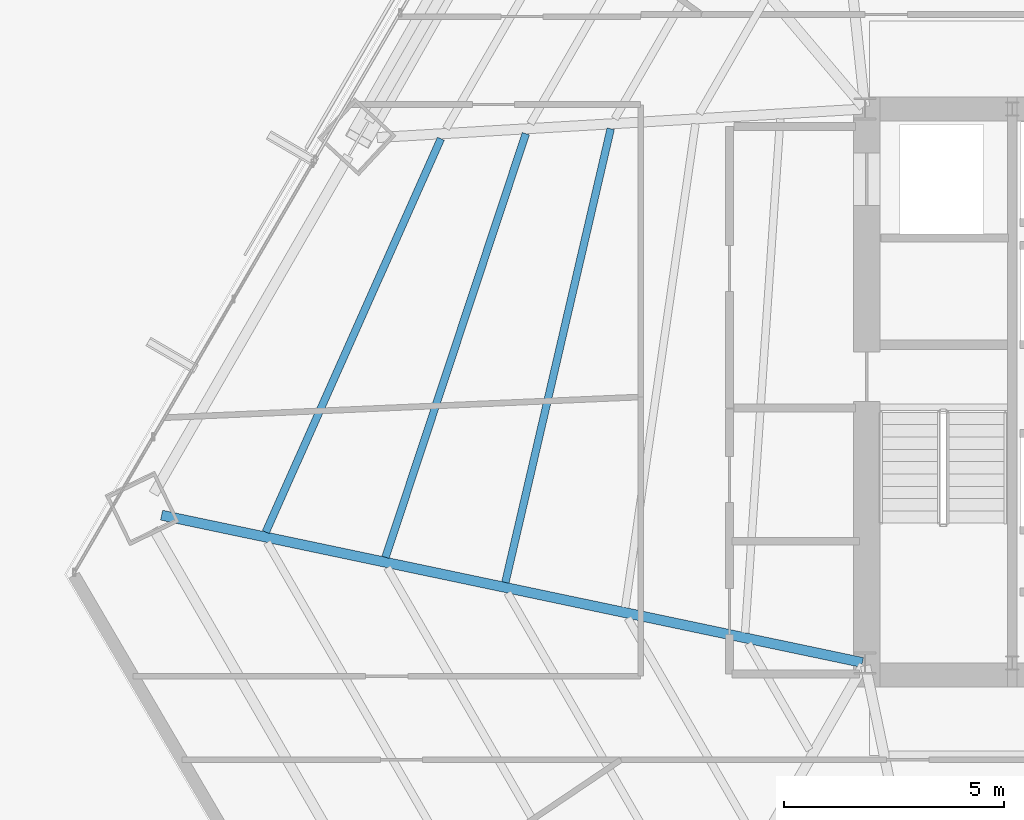
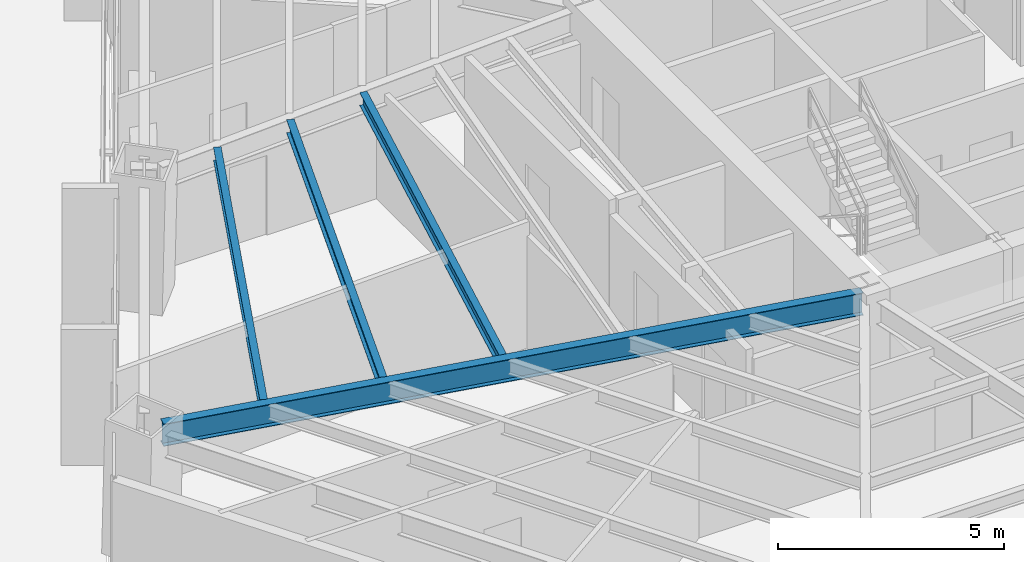
# One storey, part 10 of 35: 4 beams.
"""IFC4 building model written with IfcOpenShell, lengths in metres."""

import ifcopenshell
import ifcopenshell.guid

model = None  # the IFC model being written
_history = None  # IfcOwnerHistory: only IFC2X3 demands one
_inside = {}  # id of a spatial element -> (the spatial element, [elements in it])
_under = {}  # id of a project, library or spatial element -> (it, [spatial elements below it])
_declared = {}  # id of a project -> (the project, [libraries it declares])
_typed = {}  # id of a type object -> (the type object, [elements of that type])
_made_of = {}  # id of a material, layer set ... -> (it, [elements and type objects made of it])


def new_model(schema):
    """Start an empty IFC model of exactly this schema.

    Asked for "IFC4X3", IfcOpenShell would pick the latest addendum, in which some entities
    have other attributes; the version numbers below select the first issue.
    IFC2X3 requires an IfcOwnerHistory on every rooted entity: one is made here for all.
    """
    global model, _history
    if schema == "IFC4X3":
        model = ifcopenshell.file(schema_version=(4, 3, 0, 0))
    else:
        model = ifcopenshell.file(schema=schema)
    _inside.clear()
    _under.clear()
    _declared.clear()
    _typed.clear()
    _made_of.clear()
    _history = None
    if model.schema == "IFC2X3":
        org = make("IfcOrganization", Name="unknown")
        user = make(
            "IfcPersonAndOrganization",
            ThePerson=make("IfcPerson", FamilyName="unknown"),
            TheOrganization=org,
        )
        app = make(
            "IfcApplication",
            ApplicationDeveloper=org,
            Version="unknown",
            ApplicationFullName="unknown",
            ApplicationIdentifier="unknown",
        )
        _history = make(
            "IfcOwnerHistory",
            OwningUser=user,
            OwningApplication=app,
            ChangeAction="ADDED",
            CreationDate=0,
        )
    return model


def make(cls, **values):
    """One entity of the class cls with the attributes given. An attribute that is None is left unset."""
    return model.create_entity(
        cls, **{name: value for name, value in values.items() if value is not None}
    )


def rooted(cls, **values):
    """An entity with a GlobalId (a new one), such as an element, a storey or a relation."""
    return make(cls, GlobalId=ifcopenshell.guid.new(), OwnerHistory=_history, **values)


def si_unit(unit_type, name, prefix=None):
    """IfcSIUnit, for example si_unit("LENGTHUNIT", "METRE", prefix="MILLI")."""
    return make("IfcSIUnit", UnitType=unit_type, Prefix=prefix, Name=name)


def assignment(units):
    """IfcUnitAssignment: the units of a project."""
    return None if units is None else make("IfcUnitAssignment", Units=units)


def point(xyz):
    """IfcCartesianPoint."""
    return None if xyz is None else make("IfcCartesianPoint", Coordinates=xyz)


def direction(xyz):
    """IfcDirection."""
    return None if xyz is None else make("IfcDirection", DirectionRatios=xyz)


def frame(location, z_axis=None, x_axis=None):
    """IfcAxis2Placement3D, a coordinate frame: its origin and axes. An axis left out is left unset."""
    return make(
        "IfcAxis2Placement3D",
        Location=point(location),
        Axis=direction(z_axis),
        RefDirection=direction(x_axis),
    )


def frame_2d(location, x_axis=None):
    """IfcAxis2Placement2D, a coordinate frame in the plane: its origin and x axis."""
    return make(
        "IfcAxis2Placement2D", Location=point(location), RefDirection=direction(x_axis)
    )


def origin():
    """The frame at (0, 0, 0) with its axes left unset."""
    return frame((0.0, 0.0, 0.0))


def origin_2d():
    """The frame at (0, 0) in the plane with its x axis left unset."""
    return frame_2d((0.0, 0.0))


def place(relative_to, where):
    """IfcLocalPlacement: puts the frame where relative to a parent placement (None: the world)."""
    return make(
        "IfcLocalPlacement", PlacementRelTo=relative_to, RelativePlacement=where
    )


def context(
    kind, dimensions, precision=None, world=None, true_north=None, identifier=None
):
    """IfcGeometricRepresentationContext, for example the 3D "Model" context."""
    return make(
        "IfcGeometricRepresentationContext",
        ContextIdentifier=identifier,
        ContextType=kind,
        CoordinateSpaceDimension=dimensions,
        Precision=precision,
        WorldCoordinateSystem=world,
        TrueNorth=true_north,
    )


def subcontext(parent, identifier, kind, view, scale=None):
    """IfcGeometricRepresentationSubContext, for example "Body" below "Model"."""
    return make(
        "IfcGeometricRepresentationSubContext",
        ContextIdentifier=identifier,
        ContextType=kind,
        ParentContext=parent,
        TargetScale=scale,
        TargetView=view,
    )


def project(units=None, contexts=None):
    """IfcProject with its units and contexts."""
    return rooted(
        "IfcProject",
        Name="project",
        RepresentationContexts=contexts,
        UnitsInContext=assignment(units),
    )


def spatial(cls, under=None, at=None, **own):
    """A site, building, storey or space (cls), placed at a placement, below another one or the project."""
    s = rooted(cls, ObjectPlacement=at, **own)
    if under is not None:
        _under.setdefault(under.id(), (under, []))[1].append(s)
    return s


def profile(cls, at=None, kind="AREA", **sizes):
    """A parametric profile (cls). Its sizes go by their IFC names, for example OverallWidth=200.0."""
    return make(cls, ProfileType=kind, Position=at, **sizes)


def i_section(**sizes):
    """IfcIShapeProfileDef."""
    return profile("IfcIShapeProfileDef", **sizes)


def extrude(swept, where, along, depth):
    """IfcExtrudedAreaSolid: the profile swept, set in the frame where, extruded along a direction by depth."""
    return make(
        "IfcExtrudedAreaSolid",
        SweptArea=swept,
        Position=where,
        ExtrudedDirection=direction(along),
        Depth=depth,
    )


def shape(context_of_items, identifier, shape_type, items):
    """IfcShapeRepresentation: the items that make up one representation, for example the "Body"."""
    return make(
        "IfcShapeRepresentation",
        ContextOfItems=context_of_items,
        RepresentationIdentifier=identifier,
        RepresentationType=shape_type,
        Items=items,
    )


def source(mapping_origin, context_of_items, identifier, shape_type, items):
    """IfcRepresentationMap: a shape defined once, which mapped items show again and again."""
    return make(
        "IfcRepresentationMap",
        MappingOrigin=mapping_origin,
        MappedRepresentation=shape(context_of_items, identifier, shape_type, items),
    )


def transform(
    local_origin,
    x_axis=None,
    y_axis=None,
    z_axis=None,
    scale=None,
    scale2=None,
    scale3=None,
    uniform=True,
):
    """IfcCartesianTransformationOperator3D, or its non-uniform kind. x_axis, y_axis, z_axis: its Axis1, 2, 3."""
    if uniform:
        return make(
            "IfcCartesianTransformationOperator3D",
            Axis1=direction(x_axis),
            Axis2=direction(y_axis),
            LocalOrigin=point(local_origin),
            Scale=scale,
            Axis3=direction(z_axis),
        )
    return make(
        "IfcCartesianTransformationOperator3DnonUniform",
        Axis1=direction(x_axis),
        Axis2=direction(y_axis),
        LocalOrigin=point(local_origin),
        Scale=scale,
        Axis3=direction(z_axis),
        Scale2=scale2,
        Scale3=scale3,
    )


def mapped(mapping_source, mapping_target):
    """IfcMappedItem: shows the shape of a source again, moved by a transform."""
    return make(
        "IfcMappedItem", MappingSource=mapping_source, MappingTarget=mapping_target
    )


def material(Name=None, Category=None):
    """IfcMaterial."""
    return make("IfcMaterial", Name=Name, Category=Category)


def material_profile(
    of_material, cross_section, Name=None, Category=None, Priority=None
):
    """IfcMaterialProfile: a cross section and its material."""
    return make(
        "IfcMaterialProfile",
        Name=Name,
        Material=of_material,
        Profile=cross_section,
        Priority=Priority,
        Category=Category,
    )


def profile_set(profiles, Name=None, composite=None):
    """IfcMaterialProfileSet."""
    return make(
        "IfcMaterialProfileSet",
        Name=Name,
        MaterialProfiles=profiles,
        CompositeProfile=composite,
    )


def made_of(thing, what):
    """Note that an element or type object is made of a material, layer set ...; save() writes the relation."""
    if what is not None:
        _made_of.setdefault(what.id(), (what, []))[1].append(thing)
    return thing


def type_object(cls, material=None, **own):
    """A type object (cls), such as IfcWallType, which elements share."""
    return made_of(rooted(cls, **own), material)


def type_shapes(of_type, sources):
    """Give a type object the sources (RepresentationMaps) that its elements show as mapped items."""
    of_type.RepresentationMaps = sources


def element(
    cls,
    number,
    at=None,
    inside=None,
    cuts=None,
    type_object=None,
    material=None,
    context=None,
    identifier="Body",
    shape_type=None,
    held_by="IfcProductDefinitionShape",
    body=None,
    shapes=None,
    **own,
):
    """One element of the class cls, such as IfcWall. Its Tag is "e" and its number.

    at: its placement. inside: the storey or other place that contains it. cuts: it is an
    opening in that element (IfcRelVoidsElement). A single representation is given by context,
    identifier, shape_type and body (its items); several are given by shapes. held_by: the class
    of the entity that holds the representations. save() writes the other relations.
    """
    e = rooted(cls, Tag="e%d" % number, ObjectPlacement=at, **own)
    if body is not None:
        shapes = [shape(context, identifier, shape_type, body)]
    if shapes is not None:
        e.Representation = make(held_by, Representations=shapes)
    if inside is not None:
        _inside.setdefault(inside.id(), (inside, []))[1].append(e)
    if cuts is not None:
        rooted(
            "IfcRelVoidsElement", RelatingBuildingElement=cuts, RelatedOpeningElement=e
        )
    if type_object is not None:
        _typed.setdefault(type_object.id(), (type_object, []))[1].append(e)
    return made_of(e, material)


def aggregate(whole, parts):
    """IfcRelAggregates: a whole, such as a stair, and the parts it consists of."""
    return rooted("IfcRelAggregates", RelatingObject=whole, RelatedObjects=parts)


def save(model, path):
    """Write the relations noted so far, then the file.

    IfcRelAggregates (storeys below a building ...), IfcRelContainedInSpatialStructure (elements
    in a storey), IfcRelDefinesByType, IfcRelAssociatesMaterial and IfcRelDeclares: one each for
    every whole, place, type object, material and project.
    """
    for whole, parts in _under.values():
        aggregate(whole, parts)
    for where, things in _inside.values():
        rooted(
            "IfcRelContainedInSpatialStructure",
            RelatedElements=things,
            RelatingStructure=where,
        )
    for kind, things in _typed.values():
        rooted("IfcRelDefinesByType", RelatedObjects=things, RelatingType=kind)
    for what, things in _made_of.values():
        rooted("IfcRelAssociatesMaterial", RelatedObjects=things, RelatingMaterial=what)
    for by, libraries in _declared.values():
        rooted("IfcRelDeclares", RelatingContext=by, RelatedDefinitions=libraries)
    model.write(path)


model = new_model("IFC4")

# Units and contexts
model_context = context("Model", 3, precision=1e-05, world=origin(), true_north=direction((0.0, 1.0)))
body_context = subcontext(model_context, "Body", "Model", "MODEL_VIEW")
ifc_project = project(units=[si_unit("LENGTHUNIT", "METRE"), si_unit("AREAUNIT", "SQUARE_METRE"), si_unit("VOLUMEUNIT", "CUBIC_METRE"), si_unit("PLANEANGLEUNIT", "RADIAN"), si_unit("MASSUNIT", "GRAM", prefix="KILO")], contexts=[model_context])

# Site, building, storey
site_placement = place(None, origin())
site = spatial("IfcSite", under=ifc_project, at=site_placement, CompositionType="ELEMENT")
building_placement = place(site_placement, origin())
building = spatial("IfcBuilding", under=site, at=building_placement, Name="Caelisora Broadcast Tower", CompositionType="ELEMENT")
storey_placement = place(building_placement, frame((0.0, 0.0, 27.60009765625)))
storey = spatial("IfcBuildingStorey", under=building, at=storey_placement, Name="L06", CompositionType="ELEMENT", Elevation=27.60009765625)

# Beams
ifc_material = material(Name="Steel Grade 350 (AS/NZS 3679.1)", Category="steel")
ifc_material_profile_1 = material_profile(ifc_material, i_section(OverallWidth=0.22802734375, OverallDepth=0.602294921875, WebThickness=0.010498046875, FlangeThickness=0.014892578125, at=origin_2d()), Name="Steel Grade 350 (AS/NZS 3679.1)")
ifc_profile_set_1 = profile_set([ifc_material_profile_1], Name="Steel Grade 350 (AS/NZS 3679.1)")
beam_type_1 = type_object("IfcBeamType", Name="PG04", PredefinedType="BEAM", material=ifc_profile_set_1)
shared_shape_1 = source(origin(), body_context, "Body", "SweptSolid", [
    extrude(i_section(OverallWidth=0.22802734375, OverallDepth=0.602294921875, WebThickness=0.010498046875, FlangeThickness=0.014892578125, at=origin_2d()), origin(), (0.0, 0.0, 1.0), 16.28466796875),
])
type_shapes(beam_type_1, [shared_shape_1])
beam_1_placement = place(storey_placement, frame((30.44140625, 17.412353515625, 3.098876953125), z_axis=(-0.978604469373, 0.205750558984, 0.0), x_axis=(-0.205750558984, -0.978604469373, 0.0)))
element("IfcBeam", 1, at=beam_1_placement, inside=storey, type_object=beam_type_1, Name="L06 beam PG04", PredefinedType="BEAM", context=body_context, shape_type="MappedRepresentation", body=[
    mapped(shared_shape_1, transform((0.0, 0.0, 0.0), scale=1.0)),
])
ifc_material_profile_2 = material_profile(ifc_material, i_section(OverallWidth=0.172119140625, OverallDepth=0.358642578125, WebThickness=0.008056640625, FlangeThickness=0.012939453125, at=origin_2d()), Name="Steel Grade 350 (AS/NZS 3679.1)")
ifc_profile_set_2 = profile_set([ifc_material_profile_2], Name="Steel Grade 350 (AS/NZS 3679.1)")
beam_type_2 = type_object("IfcBeamType", Name="SB02", PredefinedType="JOIST", material=ifc_profile_set_2)
shared_shape_2 = source(origin(), body_context, "Body", "SweptSolid", [
    extrude(i_section(OverallWidth=0.172119140625, OverallDepth=0.358642578125, WebThickness=0.008056640625, FlangeThickness=0.012939453125, at=origin_2d()), origin(), (0.0, 0.0, 1.0), 10.591552734375),
])
beam_2_placement = place(storey_placement, frame((24.7177734375, 29.550048828125, 3.220703125), z_axis=(-0.22617071652, -0.974087679313, 0.0), x_axis=(0.974087679313, -0.22617071652, 0.0)))
element("IfcBeam", 2, at=beam_2_placement, inside=storey, type_object=beam_type_2, Name="L06 beam SB02", PredefinedType="JOIST", context=body_context, shape_type="MappedRepresentation", body=[
    mapped(shared_shape_2, transform((0.0, 0.0, 0.0), scale=1.0)),
])
shared_shape_3 = source(origin(), body_context, "Body", "SweptSolid", [
    extrude(i_section(OverallWidth=0.172119140625, OverallDepth=0.358642578125, WebThickness=0.008056640625, FlangeThickness=0.012939453125, at=origin_2d()), origin(), (0.0, 0.0, 1.0), 10.1455078125),
])
beam_3_placement = place(storey_placement, frame((22.78759765625, 29.436767578125, 3.220703125), z_axis=(-0.314393513951, -0.94929274641, 0.0), x_axis=(0.94929274641, -0.314393513951, 0.0)))
element("IfcBeam", 3, at=beam_3_placement, inside=storey, type_object=beam_type_2, Name="L06 beam SB02", PredefinedType="JOIST", context=body_context, shape_type="MappedRepresentation", body=[
    mapped(shared_shape_3, transform((0.0, 0.0, 0.0), scale=1.0)),
])
shared_shape_4 = source(origin(), body_context, "Body", "SweptSolid", [
    extrude(i_section(OverallWidth=0.172119140625, OverallDepth=0.358642578125, WebThickness=0.008056640625, FlangeThickness=0.012939453125, at=origin_2d()), origin(), (0.0, 0.0, 1.0), 9.791259765625),
])
type_shapes(beam_type_2, [shared_shape_2, shared_shape_3, shared_shape_4])
beam_4_placement = place(storey_placement, frame((20.855712890625, 29.323486328125, 3.220703125), z_axis=(-0.406587243902, -0.913611959804, 0.0), x_axis=(0.913611959804, -0.406587243902, 0.0)))
element("IfcBeam", 4, at=beam_4_placement, inside=storey, type_object=beam_type_2, Name="L06 beam SB02", PredefinedType="JOIST", context=body_context, shape_type="MappedRepresentation", body=[
    mapped(shared_shape_4, transform((0.0, 0.0, 0.0), scale=1.0)),
])

save(model, "model.ifc")
